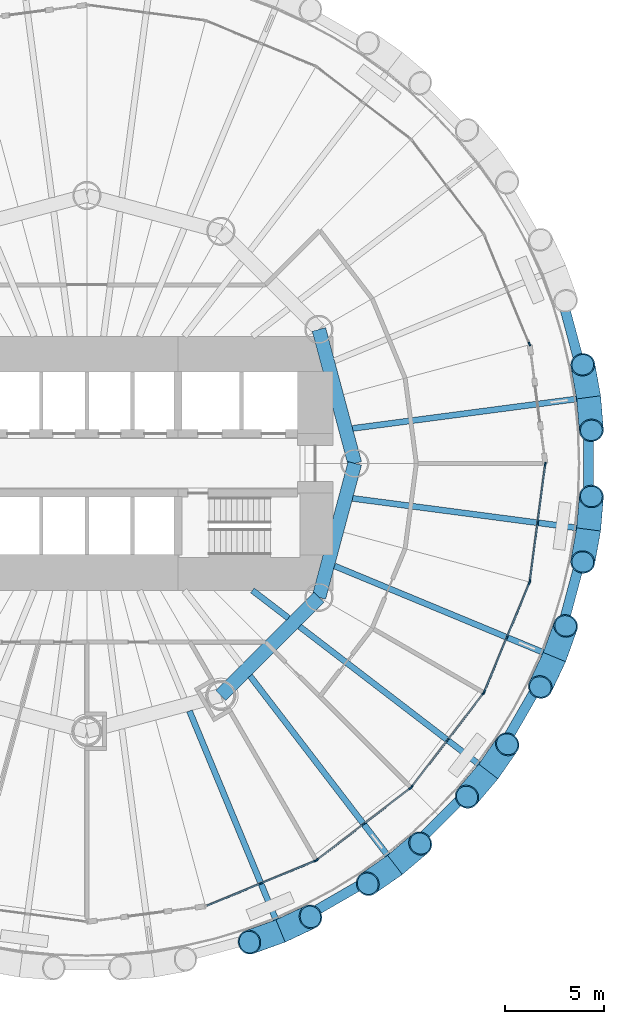
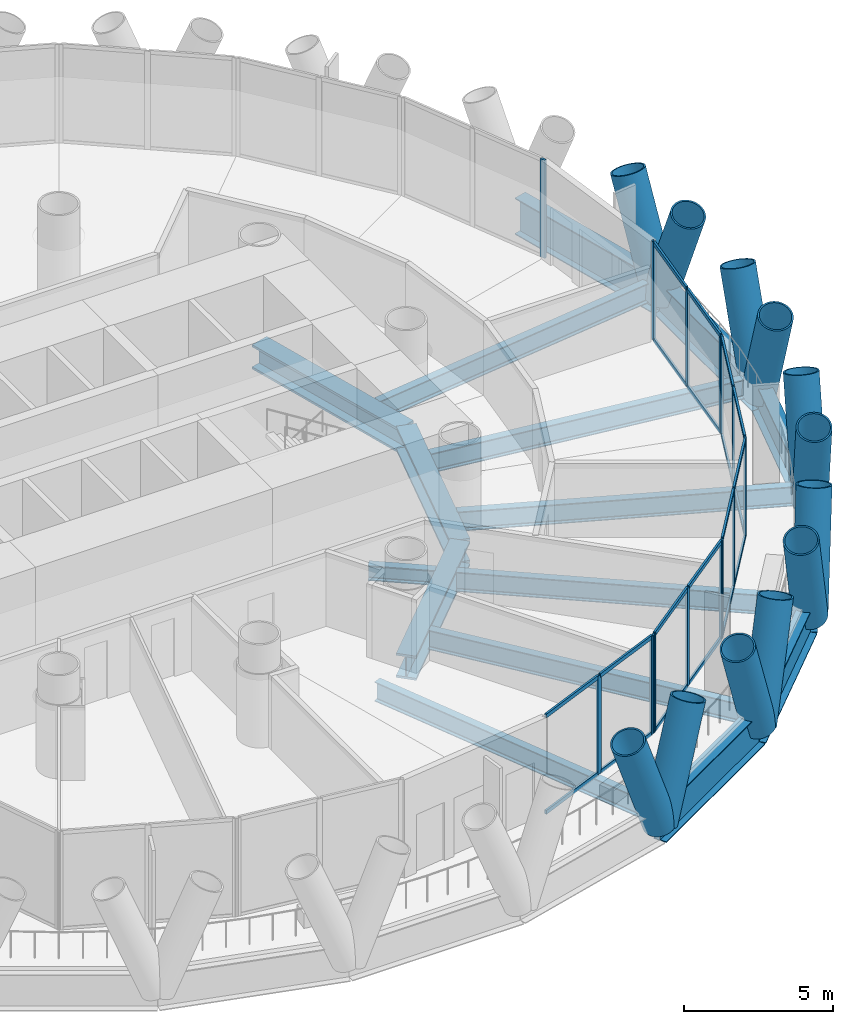
# One storey, part 4 of 14: 47 members, 16 beams, 6 elements without a shape of their own.
"""IFC4 building model written with IfcOpenShell, lengths in metres."""

from ifc_helpers import new_model, si_unit, direction, frame, origin, origin_2d, place, context, subcontext, project, spatial, rectangle, hollow_circle, i_section, extrude, material, material_profile, profile_set, type_object, element, aggregate, save


model = new_model("IFC4")

# Units and contexts
model_context = context("Model", 3, precision=1e-05, world=origin(), true_north=direction((0.0, 1.0)))
body_context = subcontext(model_context, "Body", "Model", "MODEL_VIEW")
ifc_project = project(units=[si_unit("LENGTHUNIT", "METRE"), si_unit("AREAUNIT", "SQUARE_METRE"), si_unit("VOLUMEUNIT", "CUBIC_METRE"), si_unit("PLANEANGLEUNIT", "RADIAN"), si_unit("MASSUNIT", "GRAM", prefix="KILO")], contexts=[model_context])

# Site, building, storey
site_placement = place(None, origin())
site = spatial("IfcSite", under=ifc_project, at=site_placement, CompositionType="ELEMENT")
building_placement = place(site_placement, origin())
building = spatial("IfcBuilding", under=site, at=building_placement, Name="Qaws Media Tower", CompositionType="ELEMENT")
storey_placement = place(building_placement, frame((0.0, 0.0, 84.800048828125)))
storey = spatial("IfcBuildingStorey", under=building, at=storey_placement, Name="L18", CompositionType="ELEMENT", Elevation=84.800048828125)

# Curtain wall, member
ifc_material_1 = material(Name="Aluminium and clear glass", Category="aluminium")
curtain_wall_type = type_object("IfcCurtainWallType", Name="Unitised curtain wall CW-A", PredefinedType="NOTDEFINED", material=ifc_material_1)
curtain_wall_1_placement = place(storey_placement, origin())
curtain_wall_1 = element("IfcCurtainWall", 1, at=curtain_wall_1_placement, inside=storey, type_object=curtain_wall_type, Name="CWA curtain wall L18-02", PredefinedType="NOTDEFINED")
ifc_material_2 = material(Name="Aluminium mullion", Category="aluminium")
ifc_material_profile_1 = material_profile(ifc_material_2, rectangle(XDim=0.080078125, YDim=0.199951171875, at=origin_2d()), Name="80x200")
ifc_profile_set_1 = profile_set([ifc_material_profile_1], Name="Aluminium mullion")
member_type_1 = type_object("IfcMemberType", Name="Curtain wall mullion 80x200", PredefinedType="MULLION", material=ifc_profile_set_1)
member_1_placement = place(storey_placement, frame((82.297607421875, 56.015625, 0.0), z_axis=(0.0, 0.0, 1.0), x_axis=(-0.923879517022, -0.382683469758, 0.0)))
member_1 = element("IfcMember", 2, at=member_1_placement, type_object=member_type_1, Name="CWA mullion 1", PredefinedType="MULLION", context=body_context, shape_type="SweptSolid", body=[
    extrude(rectangle(XDim=0.080078125, YDim=0.199951171875, at=origin_2d()), origin(), (0.0, 0.0, 1.0), 4.0400390625),
])
aggregate(curtain_wall_1, [member_1])

# Curtain wall, members
curtain_wall_2_placement = place(storey_placement, origin())
curtain_wall_2 = element("IfcCurtainWall", 3, at=curtain_wall_2_placement, inside=storey, type_object=curtain_wall_type, Name="CWA curtain wall L18-20", PredefinedType="NOTDEFINED")
member_2_placement = place(storey_placement, frame((68.764404296875, 28.841064453125, 0.0), z_axis=(0.0, 0.0, 1.0), x_axis=(-0.382683469758, 0.923879517022, 0.0)))
member_2 = element("IfcMember", 4, at=member_2_placement, type_object=member_type_1, Name="CWA mullion 2", PredefinedType="MULLION", context=body_context, shape_type="SweptSolid", body=[
    extrude(rectangle(XDim=0.080078125, YDim=0.199951171875, at=origin_2d()), origin(), (0.0, 0.0, 1.0), 4.0400390625),
])
member_3_placement = place(storey_placement, frame((71.512939453125, 29.9794921875, 0.0), z_axis=(0.0, 0.0, 1.0), x_axis=(-0.382683469758, 0.923879517022, 0.0)))
member_3 = element("IfcMember", 5, at=member_3_placement, type_object=member_type_1, Name="CWA mullion 3", PredefinedType="MULLION", context=body_context, shape_type="SweptSolid", body=[
    extrude(rectangle(XDim=0.080078125, YDim=0.199951171875, at=origin_2d()), origin(), (0.0, 0.0, 1.0), 4.0400390625),
])

curtain_wall_3_placement = place(storey_placement, origin())
curtain_wall_3 = element("IfcCurtainWall", 6, at=curtain_wall_3_placement, inside=storey, type_object=curtain_wall_type, Name="CWA curtain wall L18-21", PredefinedType="NOTDEFINED")
member_4_placement = place(storey_placement, frame((71.581787109375, 30.01904296875, 0.0), z_axis=(0.0, 0.0, 1.0), x_axis=(-0.608761381612, 0.79335337666, 0.0)))
member_4 = element("IfcMember", 7, at=member_4_placement, type_object=member_type_1, Name="CWA mullion 1", PredefinedType="MULLION", context=body_context, shape_type="SweptSolid", body=[
    extrude(rectangle(XDim=0.080078125, YDim=0.199951171875, at=origin_2d()), origin(), (0.0, 0.0, 1.0), 4.0400390625),
])
member_5_placement = place(storey_placement, frame((73.942138671875, 31.830322265625, 0.0), z_axis=(0.0, 0.0, 1.0), x_axis=(-0.608761381612, 0.79335337666, 0.0)))
member_5 = element("IfcMember", 8, at=member_5_placement, type_object=member_type_1, Name="CWA mullion 2", PredefinedType="MULLION", context=body_context, shape_type="SweptSolid", body=[
    extrude(rectangle(XDim=0.080078125, YDim=0.199951171875, at=origin_2d()), origin(), (0.0, 0.0, 1.0), 4.0400390625),
])
member_6_placement = place(storey_placement, frame((76.302490234375, 33.6416015625, 0.0), z_axis=(0.0, 0.0, 1.0), x_axis=(-0.608761381612, 0.79335337666, 0.0)))
member_6 = element("IfcMember", 9, at=member_6_placement, type_object=member_type_1, Name="CWA mullion 3", PredefinedType="MULLION", context=body_context, shape_type="SweptSolid", body=[
    extrude(rectangle(XDim=0.080078125, YDim=0.199951171875, at=origin_2d()), origin(), (0.0, 0.0, 1.0), 4.0400390625),
])

curtain_wall_4_placement = place(storey_placement, origin())
curtain_wall_4 = element("IfcCurtainWall", 10, at=curtain_wall_4_placement, inside=storey, type_object=curtain_wall_type, Name="CWA curtain wall L18-22", PredefinedType="NOTDEFINED")
member_7_placement = place(storey_placement, frame((76.3583984375, 33.697509765625, 0.0), z_axis=(0.0, 0.0, 1.0), x_axis=(-0.79335337666, 0.608761381612, 0.0)))
member_7 = element("IfcMember", 11, at=member_7_placement, type_object=member_type_1, Name="CWA mullion 1", PredefinedType="MULLION", context=body_context, shape_type="SweptSolid", body=[
    extrude(rectangle(XDim=0.080078125, YDim=0.199951171875, at=origin_2d()), origin(), (0.0, 0.0, 1.0), 4.0400390625),
])
member_8_placement = place(storey_placement, frame((78.169677734375, 36.057861328125, 0.0), z_axis=(0.0, 0.0, 1.0), x_axis=(-0.79335337666, 0.608761381612, 0.0)))
member_8 = element("IfcMember", 12, at=member_8_placement, type_object=member_type_1, Name="CWA mullion 2", PredefinedType="MULLION", context=body_context, shape_type="SweptSolid", body=[
    extrude(rectangle(XDim=0.080078125, YDim=0.199951171875, at=origin_2d()), origin(), (0.0, 0.0, 1.0), 4.0400390625),
])
member_9_placement = place(storey_placement, frame((79.98095703125, 38.418212890625, 0.0), z_axis=(0.0, 0.0, 1.0), x_axis=(-0.79335337666, 0.608761381612, 0.0)))
member_9 = element("IfcMember", 13, at=member_9_placement, type_object=member_type_1, Name="CWA mullion 3", PredefinedType="MULLION", context=body_context, shape_type="SweptSolid", body=[
    extrude(rectangle(XDim=0.080078125, YDim=0.199951171875, at=origin_2d()), origin(), (0.0, 0.0, 1.0), 4.0400390625),
])

curtain_wall_5_placement = place(storey_placement, origin())
curtain_wall_5 = element("IfcCurtainWall", 14, at=curtain_wall_5_placement, inside=storey, type_object=curtain_wall_type, Name="CWA curtain wall L18-23", PredefinedType="NOTDEFINED")
member_10_placement = place(storey_placement, frame((80.0205078125, 38.487060546875, 0.0), z_axis=(0.0, 0.0, 1.0), x_axis=(-0.923879517022, 0.382683469758, 0.0)))
member_10 = element("IfcMember", 15, at=member_10_placement, type_object=member_type_1, Name="CWA mullion 1", PredefinedType="MULLION", context=body_context, shape_type="SweptSolid", body=[
    extrude(rectangle(XDim=0.080078125, YDim=0.199951171875, at=origin_2d()), origin(), (0.0, 0.0, 1.0), 4.0400390625),
])
member_11_placement = place(storey_placement, frame((81.158935546875, 41.235595703125, 0.0), z_axis=(0.0, 0.0, 1.0), x_axis=(-0.923879517022, 0.382683469758, 0.0)))
member_11 = element("IfcMember", 16, at=member_11_placement, type_object=member_type_1, Name="CWA mullion 2", PredefinedType="MULLION", context=body_context, shape_type="SweptSolid", body=[
    extrude(rectangle(XDim=0.080078125, YDim=0.199951171875, at=origin_2d()), origin(), (0.0, 0.0, 1.0), 4.0400390625),
])
member_12_placement = place(storey_placement, frame((82.297607421875, 43.984375, 0.0), z_axis=(0.0, 0.0, 1.0), x_axis=(-0.923879517022, 0.382683469758, 0.0)))
member_12 = element("IfcMember", 17, at=member_12_placement, type_object=member_type_1, Name="CWA mullion 3", PredefinedType="MULLION", context=body_context, shape_type="SweptSolid", body=[
    extrude(rectangle(XDim=0.080078125, YDim=0.199951171875, at=origin_2d()), origin(), (0.0, 0.0, 1.0), 4.0400390625),
])

curtain_wall_6_placement = place(storey_placement, origin())
curtain_wall_6 = element("IfcCurtainWall", 18, at=curtain_wall_6_placement, inside=storey, type_object=curtain_wall_type, Name="CWA curtain wall L18-24", PredefinedType="NOTDEFINED")
member_13_placement = place(storey_placement, frame((82.318115234375, 44.06103515625, 0.0), z_axis=(0.0, 0.0, 1.0), x_axis=(-0.991444870395, 0.130526123696, 0.0)))
member_13 = element("IfcMember", 19, at=member_13_placement, type_object=member_type_1, Name="CWA mullion 1", PredefinedType="MULLION", context=body_context, shape_type="SweptSolid", body=[
    extrude(rectangle(XDim=0.080078125, YDim=0.199951171875, at=origin_2d()), origin(), (0.0, 0.0, 1.0), 4.0400390625),
])
member_14_placement = place(storey_placement, frame((82.70654296875, 47.0107421875, 0.0), z_axis=(0.0, 0.0, 1.0), x_axis=(-0.991444870395, 0.130526123696, 0.0)))
member_14 = element("IfcMember", 20, at=member_14_placement, type_object=member_type_1, Name="CWA mullion 2", PredefinedType="MULLION", context=body_context, shape_type="SweptSolid", body=[
    extrude(rectangle(XDim=0.080078125, YDim=0.199951171875, at=origin_2d()), origin(), (0.0, 0.0, 1.0), 4.0400390625),
])
member_15_placement = place(storey_placement, frame((83.0947265625, 49.96044921875, 0.0), z_axis=(0.0, 0.0, 1.0), x_axis=(-0.991444870395, 0.130526123696, 0.0)))
member_15 = element("IfcMember", 21, at=member_15_placement, type_object=member_type_1, Name="CWA mullion 3", PredefinedType="MULLION", context=body_context, shape_type="SweptSolid", body=[
    extrude(rectangle(XDim=0.080078125, YDim=0.199951171875, at=origin_2d()), origin(), (0.0, 0.0, 1.0), 4.0400390625),
])

# Member
ifc_material_3 = material(Name="Aluminium transom", Category="aluminium")
ifc_material_profile_2 = material_profile(ifc_material_3, rectangle(XDim=0.080078125, YDim=0.159912109375, at=origin_2d()), Name="80x160")
ifc_profile_set_2 = profile_set([ifc_material_profile_2], Name="Aluminium transom")
member_type_2 = type_object("IfcMemberType", Name="Curtain wall transom 80x160", PredefinedType="USERDEFINED", material=ifc_profile_set_2)
member_16_placement = place(storey_placement, frame((66.052734375, 27.7177734375, 0.0400390625), z_axis=(0.923870872897, 0.382704337855, 0.0), x_axis=(-0.382704337855, 0.923870872897, 0.0)))
member_16 = element("IfcMember", 22, at=member_16_placement, type_object=member_type_2, Name="CWA transom 1.1", ObjectType="TRANSOM", PredefinedType="USERDEFINED", context=body_context, shape_type="SweptSolid", body=[
    extrude(rectangle(XDim=0.080078125, YDim=0.159912109375, at=origin_2d()), origin(), (0.0, 0.0, 1.0), 2.89501953125),
])

member_17_placement = place(storey_placement, frame((66.052734375, 27.7177734375, 4.0), z_axis=(0.923870872897, 0.382704337855, 0.0), x_axis=(-0.382704337855, 0.923870872897, 0.0)))
member_17 = element("IfcMember", 23, at=member_17_placement, type_object=member_type_2, Name="CWA transom 1.2", ObjectType="TRANSOM", PredefinedType="USERDEFINED", context=body_context, shape_type="SweptSolid", body=[
    extrude(rectangle(XDim=0.080078125, YDim=0.159912109375, at=origin_2d()), origin(), (0.0, 0.0, 1.0), 2.89501953125),
])

member_18_placement = place(storey_placement, frame((68.80126953125, 28.856201171875, 0.0400390625), z_axis=(0.923883223123, 0.382674522319, 0.0), x_axis=(-0.382674522319, 0.923883223123, 0.0)))
member_18 = element("IfcMember", 24, at=member_18_placement, type_object=member_type_2, Name="CWA transom 2.1", ObjectType="TRANSOM", PredefinedType="USERDEFINED", context=body_context, shape_type="SweptSolid", body=[
    extrude(rectangle(XDim=0.080078125, YDim=0.159912109375, at=origin_2d()), origin(), (0.0, 0.0, 1.0), 2.895263671875),
])

member_19_placement = place(storey_placement, frame((68.80126953125, 28.856201171875, 4.0), z_axis=(0.923883223123, 0.382674522319, 0.0), x_axis=(-0.382674522319, 0.923883223123, 0.0)))
member_19 = element("IfcMember", 25, at=member_19_placement, type_object=member_type_2, Name="CWA transom 2.2", ObjectType="TRANSOM", PredefinedType="USERDEFINED", context=body_context, shape_type="SweptSolid", body=[
    extrude(rectangle(XDim=0.080078125, YDim=0.159912109375, at=origin_2d()), origin(), (0.0, 0.0, 1.0), 2.895263671875),
])

aggregate(curtain_wall_2, [member_2, member_3, member_16, member_17, member_18, member_19])

member_20_placement = place(storey_placement, frame((71.613525390625, 30.04345703125, 0.0400390625), z_axis=(0.793353841353, 0.608760776012, 0.0), x_axis=(-0.608760776012, 0.793353841353, 0.0)))
member_20 = element("IfcMember", 26, at=member_20_placement, type_object=member_type_2, Name="CWA transom 1.1", ObjectType="TRANSOM", PredefinedType="USERDEFINED", context=body_context, shape_type="SweptSolid", body=[
    extrude(rectangle(XDim=0.080078125, YDim=0.159912109375, at=origin_2d()), origin(), (0.0, 0.0, 1.0), 2.895263671875),
])

member_21_placement = place(storey_placement, frame((71.613525390625, 30.04345703125, 4.0), z_axis=(0.793353841353, 0.608760776012, 0.0), x_axis=(-0.608760776012, 0.793353841353, 0.0)))
member_21 = element("IfcMember", 27, at=member_21_placement, type_object=member_type_2, Name="CWA transom 1.2", ObjectType="TRANSOM", PredefinedType="USERDEFINED", context=body_context, shape_type="SweptSolid", body=[
    extrude(rectangle(XDim=0.080078125, YDim=0.159912109375, at=origin_2d()), origin(), (0.0, 0.0, 1.0), 2.895263671875),
])

member_22_placement = place(storey_placement, frame((73.973876953125, 31.854736328125, 0.0400390625), z_axis=(0.793353841353, 0.608760776012, 0.0), x_axis=(-0.608760776012, 0.793353841353, 0.0)))
member_22 = element("IfcMember", 28, at=member_22_placement, type_object=member_type_2, Name="CWA transom 2.1", ObjectType="TRANSOM", PredefinedType="USERDEFINED", context=body_context, shape_type="SweptSolid", body=[
    extrude(rectangle(XDim=0.080078125, YDim=0.159912109375, at=origin_2d()), origin(), (0.0, 0.0, 1.0), 2.895263671875),
])

member_23_placement = place(storey_placement, frame((73.973876953125, 31.854736328125, 4.0), z_axis=(0.793353841353, 0.608760776012, 0.0), x_axis=(-0.608760776012, 0.793353841353, 0.0)))
member_23 = element("IfcMember", 29, at=member_23_placement, type_object=member_type_2, Name="CWA transom 2.2", ObjectType="TRANSOM", PredefinedType="USERDEFINED", context=body_context, shape_type="SweptSolid", body=[
    extrude(rectangle(XDim=0.080078125, YDim=0.159912109375, at=origin_2d()), origin(), (0.0, 0.0, 1.0), 2.895263671875),
])

aggregate(curtain_wall_3, [member_4, member_5, member_6, member_20, member_21, member_22, member_23])

member_24_placement = place(storey_placement, frame((76.3828125, 33.729248046875, 0.0400390625), z_axis=(0.608760776012, 0.793353841353, 0.0), x_axis=(-0.793353841353, 0.608760776012, 0.0)))
member_24 = element("IfcMember", 30, at=member_24_placement, type_object=member_type_2, Name="CWA transom 1.1", ObjectType="TRANSOM", PredefinedType="USERDEFINED", context=body_context, shape_type="SweptSolid", body=[
    extrude(rectangle(XDim=0.080078125, YDim=0.159912109375, at=origin_2d()), origin(), (0.0, 0.0, 1.0), 2.895263671875),
])

member_25_placement = place(storey_placement, frame((76.3828125, 33.729248046875, 4.0), z_axis=(0.608760776012, 0.793353841353, 0.0), x_axis=(-0.793353841353, 0.608760776012, 0.0)))
member_25 = element("IfcMember", 31, at=member_25_placement, type_object=member_type_2, Name="CWA transom 1.2", ObjectType="TRANSOM", PredefinedType="USERDEFINED", context=body_context, shape_type="SweptSolid", body=[
    extrude(rectangle(XDim=0.080078125, YDim=0.159912109375, at=origin_2d()), origin(), (0.0, 0.0, 1.0), 2.895263671875),
])

member_26_placement = place(storey_placement, frame((78.194091796875, 36.089599609375, 0.0400390625), z_axis=(0.608760776012, 0.793353841353, 0.0), x_axis=(-0.793353841353, 0.608760776012, 0.0)))
member_26 = element("IfcMember", 32, at=member_26_placement, type_object=member_type_2, Name="CWA transom 2.1", ObjectType="TRANSOM", PredefinedType="USERDEFINED", context=body_context, shape_type="SweptSolid", body=[
    extrude(rectangle(XDim=0.080078125, YDim=0.159912109375, at=origin_2d()), origin(), (0.0, 0.0, 1.0), 2.895263671875),
])

member_27_placement = place(storey_placement, frame((78.194091796875, 36.089599609375, 4.0), z_axis=(0.608760776012, 0.793353841353, 0.0), x_axis=(-0.793353841353, 0.608760776012, 0.0)))
member_27 = element("IfcMember", 33, at=member_27_placement, type_object=member_type_2, Name="CWA transom 2.2", ObjectType="TRANSOM", PredefinedType="USERDEFINED", context=body_context, shape_type="SweptSolid", body=[
    extrude(rectangle(XDim=0.080078125, YDim=0.159912109375, at=origin_2d()), origin(), (0.0, 0.0, 1.0), 2.895263671875),
])

aggregate(curtain_wall_4, [member_7, member_8, member_9, member_24, member_25, member_26, member_27])

member_28_placement = place(storey_placement, frame((80.035888671875, 38.52392578125, 0.0400390625), z_axis=(0.382674522319, 0.923883223123, 0.0), x_axis=(-0.923883223123, 0.382674522319, 0.0)))
member_28 = element("IfcMember", 34, at=member_28_placement, type_object=member_type_2, Name="CWA transom 1.1", ObjectType="TRANSOM", PredefinedType="USERDEFINED", context=body_context, shape_type="SweptSolid", body=[
    extrude(rectangle(XDim=0.080078125, YDim=0.159912109375, at=origin_2d()), origin(), (0.0, 0.0, 1.0), 2.895263671875),
])

member_29_placement = place(storey_placement, frame((80.035888671875, 38.52392578125, 4.0), z_axis=(0.382674522319, 0.923883223123, 0.0), x_axis=(-0.923883223123, 0.382674522319, 0.0)))
member_29 = element("IfcMember", 35, at=member_29_placement, type_object=member_type_2, Name="CWA transom 1.2", ObjectType="TRANSOM", PredefinedType="USERDEFINED", context=body_context, shape_type="SweptSolid", body=[
    extrude(rectangle(XDim=0.080078125, YDim=0.159912109375, at=origin_2d()), origin(), (0.0, 0.0, 1.0), 2.895263671875),
])

member_30_placement = place(storey_placement, frame((81.17431640625, 41.272705078125, 0.0400390625), z_axis=(0.382704337855, 0.923870872897, 0.0), x_axis=(-0.923870872897, 0.382704337855, 0.0)))
member_30 = element("IfcMember", 36, at=member_30_placement, type_object=member_type_2, Name="CWA transom 2.1", ObjectType="TRANSOM", PredefinedType="USERDEFINED", context=body_context, shape_type="SweptSolid", body=[
    extrude(rectangle(XDim=0.080078125, YDim=0.159912109375, at=origin_2d()), origin(), (0.0, 0.0, 1.0), 2.89501953125),
])

member_31_placement = place(storey_placement, frame((81.17431640625, 41.272705078125, 4.0), z_axis=(0.382704337855, 0.923870872897, 0.0), x_axis=(-0.923870872897, 0.382704337855, 0.0)))
member_31 = element("IfcMember", 37, at=member_31_placement, type_object=member_type_2, Name="CWA transom 2.2", ObjectType="TRANSOM", PredefinedType="USERDEFINED", context=body_context, shape_type="SweptSolid", body=[
    extrude(rectangle(XDim=0.080078125, YDim=0.159912109375, at=origin_2d()), origin(), (0.0, 0.0, 1.0), 2.89501953125),
])

aggregate(curtain_wall_5, [member_10, member_11, member_12, member_28, member_29, member_30, member_31])

member_32_placement = place(storey_placement, frame((82.3232421875, 44.1005859375, 0.0400390625), z_axis=(0.130539586254, 0.991443097924, 0.0), x_axis=(-0.991443097924, 0.130539586254, 0.0)))
member_32 = element("IfcMember", 38, at=member_32_placement, type_object=member_type_2, Name="CWA transom 1.1", ObjectType="TRANSOM", PredefinedType="USERDEFINED", context=body_context, shape_type="SweptSolid", body=[
    extrude(rectangle(XDim=0.080078125, YDim=0.159912109375, at=origin_2d()), origin(), (0.0, 0.0, 1.0), 2.89501953125),
])

member_33_placement = place(storey_placement, frame((82.3232421875, 44.1005859375, 4.0), z_axis=(0.130539586254, 0.991443097924, 0.0), x_axis=(-0.991443097924, 0.130539586254, 0.0)))
member_33 = element("IfcMember", 39, at=member_33_placement, type_object=member_type_2, Name="CWA transom 1.2", ObjectType="TRANSOM", PredefinedType="USERDEFINED", context=body_context, shape_type="SweptSolid", body=[
    extrude(rectangle(XDim=0.080078125, YDim=0.159912109375, at=origin_2d()), origin(), (0.0, 0.0, 1.0), 2.89501953125),
])

member_34_placement = place(storey_placement, frame((82.711669921875, 47.05029296875, 0.0400390625), z_axis=(0.130539586254, 0.991443097924, 0.0), x_axis=(-0.991443097924, 0.130539586254, 0.0)))
member_34 = element("IfcMember", 40, at=member_34_placement, type_object=member_type_2, Name="CWA transom 2.1", ObjectType="TRANSOM", PredefinedType="USERDEFINED", context=body_context, shape_type="SweptSolid", body=[
    extrude(rectangle(XDim=0.080078125, YDim=0.159912109375, at=origin_2d()), origin(), (0.0, 0.0, 1.0), 2.89501953125),
])

member_35_placement = place(storey_placement, frame((82.711669921875, 47.05029296875, 4.0), z_axis=(0.130539586254, 0.991443097924, 0.0), x_axis=(-0.991443097924, 0.130539586254, 0.0)))
member_35 = element("IfcMember", 41, at=member_35_placement, type_object=member_type_2, Name="CWA transom 2.2", ObjectType="TRANSOM", PredefinedType="USERDEFINED", context=body_context, shape_type="SweptSolid", body=[
    extrude(rectangle(XDim=0.080078125, YDim=0.159912109375, at=origin_2d()), origin(), (0.0, 0.0, 1.0), 2.89501953125),
])

aggregate(curtain_wall_6, [member_13, member_14, member_15, member_32, member_33, member_34, member_35])

# Members
ifc_material_4 = material(Name="Steel S460", Category="steel")
ifc_material_profile_3 = material_profile(ifc_material_4, hollow_circle(Radius=0.609619140625, WallThickness=0.06005859375, at=origin_2d()), Name="CHS 1219x60")
ifc_profile_set_3 = profile_set([ifc_material_profile_3], Name="Steel S460")
member_type_3 = type_object("IfcMemberType", Name="Diagrid member CHS 1219x60", PredefinedType="USERDEFINED", material=ifc_profile_set_3)
for number, where, z_axis, x_axis, name in (
    (42, (85.28173828125, 53.328369140625, -0.91015625), (-0.065528218319, 0.363241335512, 0.92938785487), (-0.984114863036, -0.17753291625, 0.0), "DG1 diagrid L18 A01"),
    (43, (85.28173828125, 53.328369140625, -0.91015625), (0.030684816852, -0.367785621701, 0.929404206191), (0.996537677535, 0.083142391428, 0.0), "DG1 diagrid L18 B01"),
    (44, (69.758544921875, 26.441162109375, -0.91015625), (0.333859131371, 0.157313558342, 0.929403316522), (-0.426248137921, 0.904606281715, 0.0), "DG1 diagrid L18 A20"),
    (45, (69.758544921875, 26.441162109375, -0.91015625), (-0.34735792864, -0.124843572797, 0.929385039552), (0.338227079381, -0.94106452636, 0.0), "DG1 diagrid L18 B20"),
    (46, (75.5234375, 29.76953125, -0.91015625), (0.281777694827, 0.238398191578, 0.929391001113), (-0.645896312854, 0.763425145671, 0.0), "DG1 diagrid L18 A21"),
    (47, (75.5234375, 29.76953125, -0.91015625), (-0.303222861715, -0.210467890476, 0.929386444495), (0.570206543663, -0.821501367962, 0.0), "DG1 diagrid L18 B21"),
    (48, (80.23046875, 34.4765625, -0.91015625), (0.210467890476, 0.303222861715, 0.929386444495), (-0.821501367962, 0.570206543663, 0.0), "DG1 diagrid L18 A22"),
    (49, (80.23046875, 34.4765625, -0.91015625), (-0.238398191578, -0.281777694827, 0.929391001113), (0.763425145671, -0.645896312854, 0.0), "DG1 diagrid L18 B22"),
    (50, (83.558837890625, 40.241455078125, -0.91015625), (0.124843572797, 0.34735792864, 0.929385039552), (-0.94106452636, 0.338227079381, 0.0), "DG1 diagrid L18 A23"),
    (51, (83.558837890625, 40.241455078125, -0.91015625), (-0.157313558342, -0.333859131371, 0.929403316522), (0.904606281715, -0.426248137921, 0.0), "DG1 diagrid L18 B23"),
    (52, (85.28173828125, 46.671630859375, -0.91015625), (0.030684816852, 0.367785621701, 0.929404206191), (-0.996537677535, 0.083142391428, 0.0), "DG1 diagrid L18 A24"),
    (53, (85.28173828125, 46.671630859375, -0.91015625), (-0.065528218319, -0.363241335512, 0.92938785487), (0.984114863036, -0.17753291625, 0.0), "DG1 diagrid L18 B24"),
):
    element("IfcMember", number, at=place(storey_placement, frame(where, z_axis=z_axis, x_axis=x_axis)), inside=storey, type_object=member_type_3, Name=name, ObjectType="DIAGRID", PredefinedType="USERDEFINED", context=body_context, shape_type="SweptSolid", body=[
        extrude(hollow_circle(Radius=0.609619140625, WallThickness=0.06005859375, at=origin_2d()), origin(), (0.0, 0.0, 1.0), 4.519287109375),
    ])

# Beams
ifc_material_5 = material(Name="Steel S460", Category="steel")
ifc_material_profile_4 = material_profile(ifc_material_5, i_section(OverallWidth=0.5, OverallDepth=1.5, WebThickness=0.02001953125, FlangeThickness=0.0400390625, at=origin_2d()), Name="PG 1500x500")
ifc_profile_set_4 = profile_set([ifc_material_profile_4], Name="Steel S460")
beam_type_1 = type_object("IfcBeamType", Name="Edge ring beam PG 1500x500", PredefinedType="BEAM", material=ifc_profile_set_4)
beam_1_placement = place(storey_placement, frame((85.28173828125, 53.328369140625, -0.91015625), z_axis=(-0.258810633371, 0.965928080166, 0.0), x_axis=(-0.965928080166, -0.258810633371, 0.0)))
element("IfcBeam", 54, at=beam_1_placement, inside=storey, type_object=beam_type_1, Name="RB4 edge ring beam L18-01", PredefinedType="BEAM", context=body_context, shape_type="SweptSolid", body=[
    extrude(i_section(OverallWidth=0.5, OverallDepth=1.5, WebThickness=0.02001953125, FlangeThickness=0.0400390625, at=origin_2d()), origin(), (0.0, 0.0, 1.0), 6.656982421875),
])
for number, where, z_axis, x_axis, name in (
    (55, (69.758544921875, 26.441162109375, -0.91015625), (0.866024957627, 0.500000772766, 0.0), (-0.500000772766, 0.866024957627, 0.0), "RB4 edge ring beam L18-20"),
    (56, (75.5234375, 29.76953125, -0.91015625), (0.707106781187, 0.707106781187, 0.0), (-0.707106781187, 0.707106781187, 0.0), "RB4 edge ring beam L18-21"),
    (57, (80.23046875, 34.4765625, -0.91015625), (0.500000772766, 0.866024957627, 0.0), (-0.866024957627, 0.500000772766, 0.0), "RB4 edge ring beam L18-22"),
):
    element("IfcBeam", number, at=place(storey_placement, frame(where, z_axis=z_axis, x_axis=x_axis)), inside=storey, type_object=beam_type_1, Name=name, PredefinedType="BEAM", context=body_context, shape_type="SweptSolid", body=[
        extrude(i_section(OverallWidth=0.5, OverallDepth=1.5, WebThickness=0.02001953125, FlangeThickness=0.0400390625, at=origin_2d()), origin(), (0.0, 0.0, 1.0), 6.65673828125),
    ])
beam_2_placement = place(storey_placement, frame((83.558837890625, 40.241455078125, -0.91015625), z_axis=(0.258810633371, 0.965928080166, 0.0), x_axis=(-0.965928080166, 0.258810633371, 0.0)))
element("IfcBeam", 58, at=beam_2_placement, inside=storey, type_object=beam_type_1, Name="RB4 edge ring beam L18-23", PredefinedType="BEAM", context=body_context, shape_type="SweptSolid", body=[
    extrude(i_section(OverallWidth=0.5, OverallDepth=1.5, WebThickness=0.02001953125, FlangeThickness=0.0400390625, at=origin_2d()), origin(), (0.0, 0.0, 1.0), 6.656982421875),
])
beam_3_placement = place(storey_placement, frame((85.28173828125, 46.671630859375, -0.91015625), z_axis=(0.0, 1.0, 0.0), x_axis=(-1.0, 0.0, 0.0)))
element("IfcBeam", 59, at=beam_3_placement, inside=storey, type_object=beam_type_1, Name="RB4 edge ring beam L18-24", PredefinedType="BEAM", context=body_context, shape_type="SweptSolid", body=[
    extrude(i_section(OverallWidth=0.5, OverallDepth=1.5, WebThickness=0.02001953125, FlangeThickness=0.0400390625, at=origin_2d()), origin(), (0.0, 0.0, 1.0), 6.65673828125),
])
ifc_material_6 = material(Name="Steel S460", Category="steel")
ifc_material_profile_5 = material_profile(ifc_material_6, i_section(OverallWidth=0.699951171875, OverallDepth=1.0, WebThickness=0.034912109375, FlangeThickness=0.090087890625, at=origin_2d()), Name="PG 1000x700")
ifc_profile_set_5 = profile_set([ifc_material_profile_5], Name="Steel S460")
beam_type_2 = type_object("IfcBeamType", Name="Inner ring girder PG 1000x700", PredefinedType="BEAM", material=ifc_profile_set_5)
beam_4_placement = place(storey_placement, frame((73.5, 50.0, -0.66015625), z_axis=(-0.258810593767, 0.965928090778, 0.0), x_axis=(-0.965928090778, -0.258810593767, 0.0)))
element("IfcBeam", 60, at=beam_4_placement, inside=storey, type_object=beam_type_2, Name="B3 inner ring beam L18 I01-I02", PredefinedType="BEAM", context=body_context, shape_type="SweptSolid", body=[
    extrude(i_section(OverallWidth=0.699951171875, OverallDepth=1.0, WebThickness=0.034912109375, FlangeThickness=0.090087890625, at=origin_2d()), origin(), (0.0, 0.0, 1.0), 6.988037109375),
])
beam_5_placement = place(storey_placement, frame((66.75, 38.30859375, -0.66015625), z_axis=(0.707106781187, 0.707106781187, 0.0), x_axis=(-0.707106781187, 0.707106781187, 0.0)))
element("IfcBeam", 61, at=beam_5_placement, inside=storey, type_object=beam_type_2, Name="B3 inner ring beam L18 I11-I12", PredefinedType="BEAM", context=body_context, shape_type="SweptSolid", body=[
    extrude(i_section(OverallWidth=0.699951171875, OverallDepth=1.0, WebThickness=0.034912109375, FlangeThickness=0.090087890625, at=origin_2d()), origin(), (0.0, 0.0, 1.0), 6.98828125),
])
beam_6_placement = place(storey_placement, frame((71.69140625, 43.25, -0.66015625), z_axis=(0.258810593767, 0.965928090778, 0.0), x_axis=(-0.965928090778, 0.258810593767, 0.0)))
element("IfcBeam", 62, at=beam_6_placement, inside=storey, type_object=beam_type_2, Name="B3 inner ring beam L18 I12-I01", PredefinedType="BEAM", context=body_context, shape_type="SweptSolid", body=[
    extrude(i_section(OverallWidth=0.699951171875, OverallDepth=1.0, WebThickness=0.034912109375, FlangeThickness=0.090087890625, at=origin_2d()), origin(), (0.0, 0.0, 1.0), 6.988037109375),
])
ifc_material_7 = material(Name="Steel S355", Category="steel")
ifc_material_profile_6 = material_profile(ifc_material_7, i_section(OverallWidth=0.304931640625, OverallDepth=0.6201171875, WebThickness=0.02099609375, FlangeThickness=0.0400390625, FilletRadius=0.027099609375, at=origin_2d()), Name="HE 600 M")
ifc_profile_set_6 = profile_set([ifc_material_profile_6], Name="Steel S355")
beam_type_3 = type_object("IfcBeamType", Name="Radial beam HE 600 M, core side", PredefinedType="BEAM", material=ifc_profile_set_6)
beam_7_placement = place(storey_placement, frame((68.340576171875, 43.60009765625, -0.469970703125), z_axis=(0.793365692245, -0.608745331291, 0.0), x_axis=(0.608745331291, 0.793365692245, 0.0)))
element("IfcBeam", 63, at=beam_7_placement, inside=storey, type_object=beam_type_3, Name="B2 radial beam L18 22", PredefinedType="BEAM", context=body_context, shape_type="SweptSolid", body=[
    extrude(i_section(OverallWidth=0.304931640625, OverallDepth=0.6201171875, WebThickness=0.02099609375, FlangeThickness=0.0400390625, FilletRadius=0.027099609375, at=origin_2d()), origin(), (0.0, 0.0, 1.0), 2.286376953125),
])
ifc_material_8 = material(Name="Steel S355", Category="steel")
ifc_material_profile_7 = material_profile(ifc_material_8, i_section(OverallWidth=0.300048828125, OverallDepth=0.800048828125, WebThickness=0.017578125, FlangeThickness=0.032958984375, FilletRadius=0.030029296875, at=origin_2d()), Name="HE 800 B")
ifc_profile_set_7 = profile_set([ifc_material_profile_7], Name="Steel S355")
beam_type_4 = type_object("IfcBeamType", Name="Radial beam HE 800 B", PredefinedType="BEAM", material=ifc_profile_set_7)
for number, where, z_axis, x_axis, name in (
    (64, (73.389892578125, 51.762939453125, -0.56005859375), (0.991446603732, 0.130512957013, 0.0), (-0.130512957013, 0.991446603732, 0.0), "B1 radial beam L18 01"),
    (65, (65.16845703125, 37.5224609375, -0.56005859375), (0.382687960273, -0.923877656977, 0.0), (0.923877656977, 0.382687960273, 0.0), "B1 radial beam L18 20"),
    (66, (68.2216796875, 39.285400390625, -0.56005859375), (0.608760096502, -0.793354362758, 0.0), (0.793354362758, 0.608760096502, 0.0), "B1 radial beam L18 21"),
    (67, (70.714599609375, 41.7783203125, -0.56005859375), (0.793354362758, -0.608760096502, 0.0), (0.608760096502, 0.793354362758, 0.0), "B1 radial beam L18 22"),
    (68, (72.4775390625, 44.83154296875, -0.56005859375), (0.923877656977, -0.382687960273, 0.0), (0.382687960273, 0.923877656977, 0.0), "B1 radial beam L18 23"),
    (69, (73.389892578125, 48.237060546875, -0.56005859375), (0.991446603732, -0.130512957013, 0.0), (0.130512957013, 0.991446603732, 0.0), "B1 radial beam L18 24"),
):
    element("IfcBeam", number, at=place(storey_placement, frame(where, z_axis=z_axis, x_axis=x_axis)), inside=storey, type_object=beam_type_4, Name=name, PredefinedType="BEAM", context=body_context, shape_type="SweptSolid", body=[
        extrude(i_section(OverallWidth=0.300048828125, OverallDepth=0.800048828125, WebThickness=0.017578125, FlangeThickness=0.032958984375, FilletRadius=0.030029296875, at=origin_2d()), origin(), (0.0, 0.0, 1.0), 11.994384765625),
    ])

save(model, "model.ifc")
